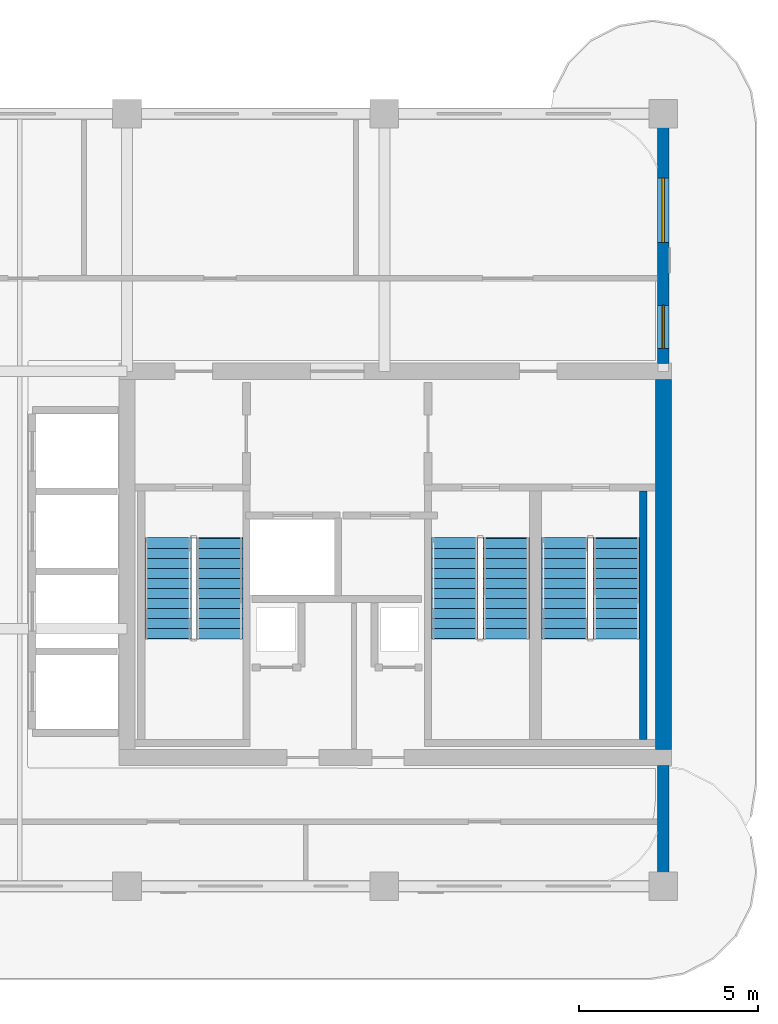
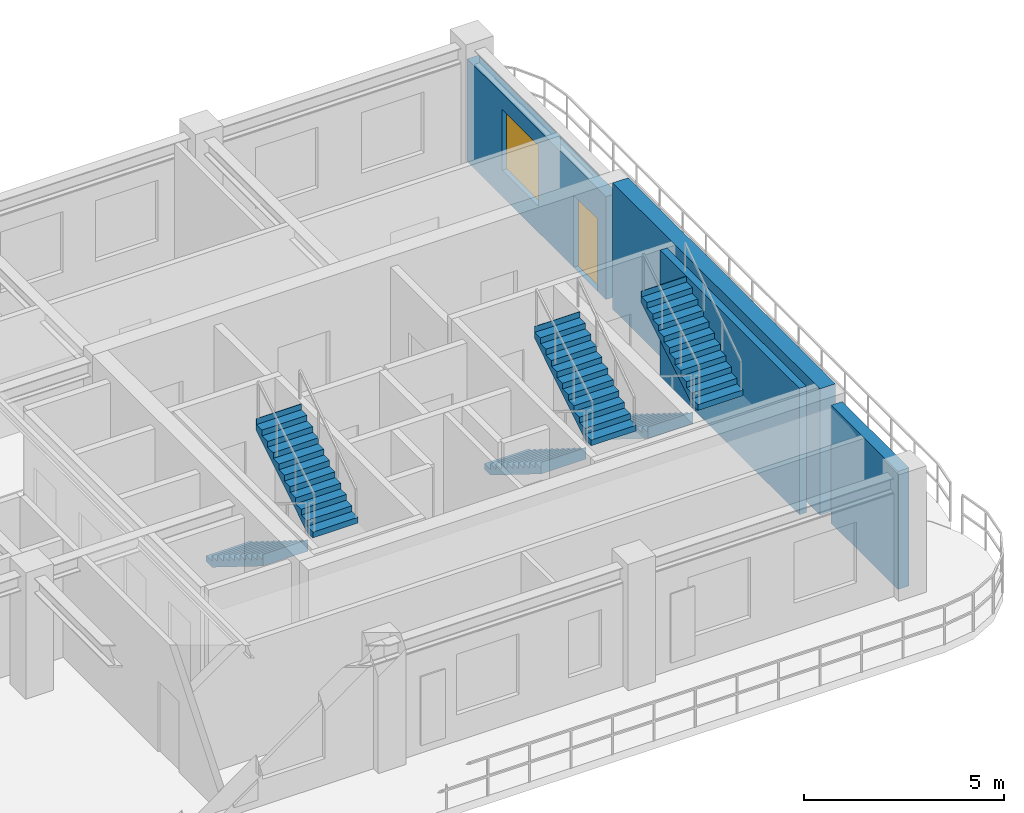
# One storey, part 5 of 7: 6 stair flights, 4 walls, 1 door, 1 window, 2 openings, 3 elements without a shape of their own.
"""IFC4 building model written with IfcOpenShell, lengths in metres."""

from ifc_helpers import new_model, si_unit, derived_unit, direction, frame, frame_2d, origin, place, context, subcontext, project, spatial, polyline, rectangle, outline, extrude, source, transform, mapped, material, layer, layer_set, type_object, type_shapes, element, fill, aggregate, save


model = new_model("IFC4")

# Units and contexts
model_context = context("Model", 3, precision=1e-05, world=origin(), true_north=direction((0.0, 1.0)))
body_context = subcontext(model_context, "Body", "Model", "MODEL_VIEW")
ifc_project = project(units=[si_unit("LENGTHUNIT", "METRE"), si_unit("AREAUNIT", "SQUARE_METRE"), si_unit("VOLUMEUNIT", "CUBIC_METRE"), si_unit("PLANEANGLEUNIT", "RADIAN"), si_unit("MASSUNIT", "GRAM", prefix="KILO"), si_unit("THERMODYNAMICTEMPERATUREUNIT", "KELVIN"), si_unit("POWERUNIT", "WATT"), derived_unit("THERMALTRANSMITTANCEUNIT", [(si_unit("POWERUNIT", "WATT"), 1), (si_unit("AREAUNIT", "SQUARE_METRE"), -1), (si_unit("THERMODYNAMICTEMPERATUREUNIT", "KELVIN"), -1)])], contexts=[model_context])

# Site, building, storey
site_placement = place(None, origin())
site = spatial("IfcSite", under=ifc_project, at=site_placement, CompositionType="ELEMENT")
building_placement = place(site_placement, origin())
building = spatial("IfcBuilding", under=site, at=building_placement, Name="Zahravan Archway Hotel and Residences", CompositionType="ELEMENT")
storey_placement = place(building_placement, frame((0.0, 0.0, 255.800048828125)))
storey = spatial("IfcBuildingStorey", under=building, at=storey_placement, Name="L64", CompositionType="ELEMENT", Elevation=255.800048828125)

# Walls
ifc_material_1 = material(Name="Concrete C50/60", Category="concrete")
ifc_layer_1 = layer(ifc_material_1, 0.449951171875, Name="Concrete C50/60", Category="concrete")
ifc_layer_set_1 = layer_set([ifc_layer_1], Name="Concrete C50/60")
wall_type_1 = type_object("IfcWallType", Name="CW-CORE-450", PredefinedType="SHEAR", material=ifc_layer_set_1)
wall_1_placement = place(storey_placement, frame((49.800048828125, 3.824951171875, 0.0), z_axis=(0.0, 0.0, 1.0), x_axis=(0.0, 1.0, 0.0)))
element("IfcWall", 1, at=wall_1_placement, inside=storey, type_object=wall_type_1, Name="L64 Core A Shear E Wall 450 mm", PredefinedType="SHEAR", context=body_context, shape_type="SweptSolid", body=[
    extrude(rectangle(XDim=10.35009765625, YDim=0.449951171875, at=frame_2d((5.175048828125, 0.0))), origin(), (0.0, 0.0, 1.0), 3.849853515625),
])
ifc_material_2 = material(Name="Agra Buff Sandstone & Insulated Backup", Category="masonry")
ifc_layer_2 = layer(ifc_material_2, 0.320068359375, Name="Agra Buff Sandstone & Insulated Backup", Category="masonry")
ifc_layer_set_2 = layer_set([ifc_layer_2], Name="Agra Buff Sandstone & Insulated Backup")
wall_type_2 = type_object("IfcWallType", Name="EW-SAND-320", PredefinedType="SOLIDWALL", material=ifc_layer_set_2)
wall_2_placement = place(storey_placement, frame((49.800048828125, 0.050048828125, 0.0), z_axis=(0.0, 0.0, 1.0), x_axis=(0.0, 1.0, 0.0)))
element("IfcWall", 2, at=wall_2_placement, inside=storey, type_object=wall_type_2, Name="L64 Exterior Sandstone Wall WA-ES", PredefinedType="SOLIDWALL", context=body_context, shape_type="SweptSolid", body=[
    extrude(rectangle(XDim=3.329833984375, YDim=0.320068359375, at=frame_2d((1.6650390625, 0.0))), origin(), (0.0, 0.0, 1.0), 3.599853515625),
])

# Wall, openings, door, window
wall_3_placement = place(storey_placement, frame((49.800048828125, 14.6201171875, 0.0), z_axis=(0.0, 0.0, 1.0), x_axis=(0.0, 1.0, 0.0)))
wall_3 = element("IfcWall", 3, at=wall_3_placement, inside=storey, type_object=wall_type_2, Name="L64 Exterior Sandstone Wall WA-EN", PredefinedType="SOLIDWALL", context=body_context, shape_type="SweptSolid", body=[
    extrude(rectangle(XDim=6.929931640625, YDim=0.320068359375, at=frame_2d((3.46484375, 0.0))), origin(), (0.0, 0.0, 1.0), 3.135009765625),
])
opening_1_placement = place(wall_3_placement, frame((0.419921875, 0.0, 0.0)))
opening_1 = element("IfcOpeningElement", 4, at=opening_1_placement, cuts=wall_3, Name="Opening ED-BL1", PredefinedType="OPENING", context=body_context, shape_type="SweptSolid", body=[
    extrude(rectangle(XDim=1.199951171875, YDim=2.199951171875, at=frame_2d((0.60009765625, 1.10009765625))), frame((0.0, 0.169921875, 0.0), z_axis=(0.0, -1.0, 0.0), x_axis=(1.0, 0.0, 0.0)), (0.0, 0.0, 1.0), 0.340087890625),
])
opening_2_placement = place(wall_3_placement, frame((3.384033203125, 0.0, 0.800048828125)))
opening_2 = element("IfcOpeningElement", 5, at=opening_2_placement, cuts=wall_3, Name="Opening W-02", PredefinedType="OPENING", context=body_context, shape_type="SweptSolid", body=[
    extrude(rectangle(XDim=1.800048828125, YDim=1.85009765625, at=frame_2d((0.89990234375, 0.925048828125))), frame((0.0, 0.169921875, 0.0), z_axis=(0.0, -1.0, 0.0), x_axis=(1.0, 0.0, 0.0)), (0.0, 0.0, 1.0), 0.340087890625),
])
ifc_material_3 = material(Name="Bronze-Anodized Glazed Aluminium", Category="aluminium")
door_type = type_object("IfcDoorType", Name="ED-BALC-1200", OperationType="SLIDING_TO_LEFT", PredefinedType="DOOR", material=ifc_material_3)
shared_shape_1 = source(origin(), body_context, "Body", "SweptSolid", [
    extrude(rectangle(XDim=1.199951171875, YDim=2.199951171875, at=frame_2d((0.60009765625, 1.10009765625))), frame((0.0, 0.02490234375, 0.0), z_axis=(0.0, -1.0, 0.0), x_axis=(1.0, 0.0, 0.0)), (0.0, 0.0, 1.0), 0.050048828125),
])
type_shapes(door_type, [shared_shape_1])
door_placement = place(opening_1_placement, origin())
door = element("IfcDoor", 6, at=door_placement, inside=storey, type_object=door_type, Name="L64 Outdoor Access Sliding Door (SLB-BAL-L64-EA)", OperationType="SLIDING_TO_LEFT", OverallHeight=2.199951171875, OverallWidth=1.199951171875, PredefinedType="DOOR", context=body_context, shape_type="MappedRepresentation", body=[
    mapped(shared_shape_1, transform((0.0, 0.0, 0.0), scale=1.0)),
])
fill(opening_1, door)
ifc_material_4 = material(Name="Bronze-Anodized Thermal-Break Aluminium & Low-E Glass", Category="aluminium")
window_type = type_object("IfcWindowType", Name="WIN-TWR-1800", PartitioningType="DOUBLE_PANEL_VERTICAL", PredefinedType="WINDOW", material=ifc_material_4)
shared_shape_2 = source(origin(), body_context, "Body", "SweptSolid", [
    extrude(rectangle(XDim=1.800048828125, YDim=1.85009765625, at=frame_2d((0.89990234375, 0.925048828125))), frame((0.0, 0.030029296875, 0.0), z_axis=(0.0, -1.0, 0.0), x_axis=(1.0, 0.0, 0.0)), (0.0, 0.0, 1.0), 0.06005859375),
])
type_shapes(window_type, [shared_shape_2])
window_placement = place(opening_2_placement, origin())
window = element("IfcWindow", 7, at=window_placement, inside=storey, type_object=window_type, Name="L64 Loggia Window 08", OverallHeight=1.85009765625, OverallWidth=1.800048828125, PartitioningType="DOUBLE_PANEL_VERTICAL", PredefinedType="WINDOW", context=body_context, shape_type="MappedRepresentation", body=[
    mapped(shared_shape_2, transform((0.0, 0.0, 0.0), scale=1.0)),
])
fill(opening_2, window)

# Wall
ifc_layer_3 = layer(ifc_material_1, 0.199951171875, Name="Concrete C50/60", Category="concrete")
ifc_layer_set_3 = layer_set([ifc_layer_3], Name="Concrete C50/60")
wall_type_3 = type_object("IfcWallType", Name="SW-STAIR-200", PredefinedType="SHEAR", material=ifc_layer_set_3)
wall_4_placement = place(storey_placement, frame((49.239990234375, 4.10009765625, 0.0), z_axis=(0.0, 0.0, 1.0), x_axis=(0.0, 1.0, 0.0)))
element("IfcWall", 8, at=wall_4_placement, inside=storey, type_object=wall_type_3, Name="L64 Stairwell RC Wall CA-SA3E", PredefinedType="SHEAR", context=body_context, shape_type="SweptSolid", body=[
    extrude(rectangle(XDim=6.949951171875, YDim=0.199951171875, at=frame_2d((3.47509765625, 0.0))), origin(), (0.0, 0.0, 1.0), 3.849853515625),
])

# Stair, stair flights
stair_type = type_object("IfcStairType", Name="STR-CORE-1300", PredefinedType="HALF_TURN_STAIR", material=ifc_material_1)
stair_1_placement = place(storey_placement, origin())
stair_1 = element("IfcStair", 9, at=stair_1_placement, inside=storey, type_object=stair_type, Name="L64 Core A Exit Stair 1", PredefinedType="HALF_TURN_STAIR")
ifc_layer_4 = layer(ifc_material_1, 0.199951171875, Name="Concrete C50/60", Category="concrete")
ifc_layer_set_4 = layer_set([ifc_layer_4], Name="Concrete C50/60")
stair_flight_type = type_object("IfcStairFlightType", Name="SFL-CORE-1300", PredefinedType="STRAIGHT", material=ifc_layer_set_4)
shared_shape_3 = source(origin(), body_context, "Body", "SweptSolid", [
    extrude(outline(polyline([(-0.01611328125, 0.0), (-0.01611328125, 0.175048828125), (0.280029296875, 0.175048828125), (0.280029296875, 0.35009765625), (0.56005859375, 0.35009765625), (0.56005859375, 0.52490234375), (0.840087890625, 0.52490234375), (0.840087890625, 0.699951171875), (1.1201171875, 0.699951171875), (1.1201171875, 0.875), (1.39990234375, 0.875), (1.39990234375, 1.050048828125), (1.679931640625, 1.050048828125), (1.679931640625, 1.22509765625), (1.9599609375, 1.22509765625), (1.9599609375, 1.39990234375), (2.239990234375, 1.39990234375), (2.239990234375, 1.574951171875), (2.52001953125, 1.574951171875), (2.52001953125, 1.75), (2.800048828125, 1.75), (2.800048828125, 1.925048828125), (2.816162109375, 1.925048828125), (2.816162109375, 1.5732421875), (0.28271484375, 0.0), (-0.01611328125, 0.0)])), frame((0.0, 0.64990234375, 0.0), z_axis=(0.0, -1.0, 0.0), x_axis=(1.0, 0.0, 0.0)), (0.0, 0.0, 1.0), 1.300048828125),
])
stair_flight_1_placement = place(storey_placement, frame((35.949951171875, 9.72998046875, 0.0), z_axis=(0.0, 0.0, 1.0), x_axis=(0.0, -1.0, 0.0)))
stair_flight_1 = element("IfcStairFlight", 10, at=stair_flight_1_placement, type_object=stair_flight_type, Name="ST-A1 flight 1", NumberOfRisers=11, NumberOfTreads=10, PredefinedType="STRAIGHT", RiserHeight=0.175, TreadLength=0.28, context=body_context, shape_type="MappedRepresentation", body=[
    mapped(shared_shape_3, transform((0.0, 0.0, 0.0), scale=1.0)),
])
stair_flight_2_placement = place(storey_placement, frame((37.389892578125, 6.929931640625, 1.925048828125), z_axis=(0.0, 0.0, 1.0), x_axis=(0.0, 1.0, 0.0)))
stair_flight_2 = element("IfcStairFlight", 11, at=stair_flight_2_placement, type_object=stair_flight_type, Name="ST-A1 flight 2", NumberOfRisers=11, NumberOfTreads=10, PredefinedType="STRAIGHT", RiserHeight=0.175, TreadLength=0.28, context=body_context, shape_type="MappedRepresentation", body=[
    mapped(shared_shape_3, transform((0.0, 0.0, 0.0), scale=1.0)),
])
aggregate(stair_1, [stair_flight_1, stair_flight_2])

stair_2_placement = place(storey_placement, origin())
stair_2 = element("IfcStair", 12, at=stair_2_placement, inside=storey, type_object=stair_type, Name="L64 Core A Exit Stair 2", PredefinedType="HALF_TURN_STAIR")
stair_flight_3_placement = place(storey_placement, frame((43.969970703125, 9.72998046875, 0.0), z_axis=(0.0, 0.0, 1.0), x_axis=(0.0, -1.0, 0.0)))
stair_flight_3 = element("IfcStairFlight", 13, at=stair_flight_3_placement, type_object=stair_flight_type, Name="ST-A2 flight 1", NumberOfRisers=11, NumberOfTreads=10, PredefinedType="STRAIGHT", RiserHeight=0.175, TreadLength=0.28, context=body_context, shape_type="MappedRepresentation", body=[
    mapped(shared_shape_3, transform((0.0, 0.0, 0.0), scale=1.0)),
])
stair_flight_4_placement = place(storey_placement, frame((45.409912109375, 6.929931640625, 1.925048828125), z_axis=(0.0, 0.0, 1.0), x_axis=(0.0, 1.0, 0.0)))
stair_flight_4 = element("IfcStairFlight", 14, at=stair_flight_4_placement, type_object=stair_flight_type, Name="ST-A2 flight 2", NumberOfRisers=11, NumberOfTreads=10, PredefinedType="STRAIGHT", RiserHeight=0.175, TreadLength=0.28, context=body_context, shape_type="MappedRepresentation", body=[
    mapped(shared_shape_3, transform((0.0, 0.0, 0.0), scale=1.0)),
])
aggregate(stair_2, [stair_flight_3, stair_flight_4])

stair_3_placement = place(storey_placement, origin())
stair_3 = element("IfcStair", 15, at=stair_3_placement, inside=storey, type_object=stair_type, Name="L64 Core A Exit Stair 3", PredefinedType="HALF_TURN_STAIR")
stair_flight_5_placement = place(storey_placement, frame((47.050048828125, 9.72998046875, 0.0), z_axis=(0.0, 0.0, 1.0), x_axis=(0.0, -1.0, 0.0)))
stair_flight_5 = element("IfcStairFlight", 16, at=stair_flight_5_placement, type_object=stair_flight_type, Name="ST-A3 flight 1", NumberOfRisers=11, NumberOfTreads=10, PredefinedType="STRAIGHT", RiserHeight=0.175, TreadLength=0.28, context=body_context, shape_type="MappedRepresentation", body=[
    mapped(shared_shape_3, transform((0.0, 0.0, 0.0), scale=1.0)),
])
stair_flight_6_placement = place(storey_placement, frame((48.489990234375, 6.929931640625, 1.925048828125), z_axis=(0.0, 0.0, 1.0), x_axis=(0.0, 1.0, 0.0)))
stair_flight_6 = element("IfcStairFlight", 17, at=stair_flight_6_placement, type_object=stair_flight_type, Name="ST-A3 flight 2", NumberOfRisers=11, NumberOfTreads=10, PredefinedType="STRAIGHT", RiserHeight=0.175, TreadLength=0.28, context=body_context, shape_type="MappedRepresentation", body=[
    mapped(shared_shape_3, transform((0.0, 0.0, 0.0), scale=1.0)),
])
aggregate(stair_3, [stair_flight_5, stair_flight_6])

save(model, "model.ifc")
